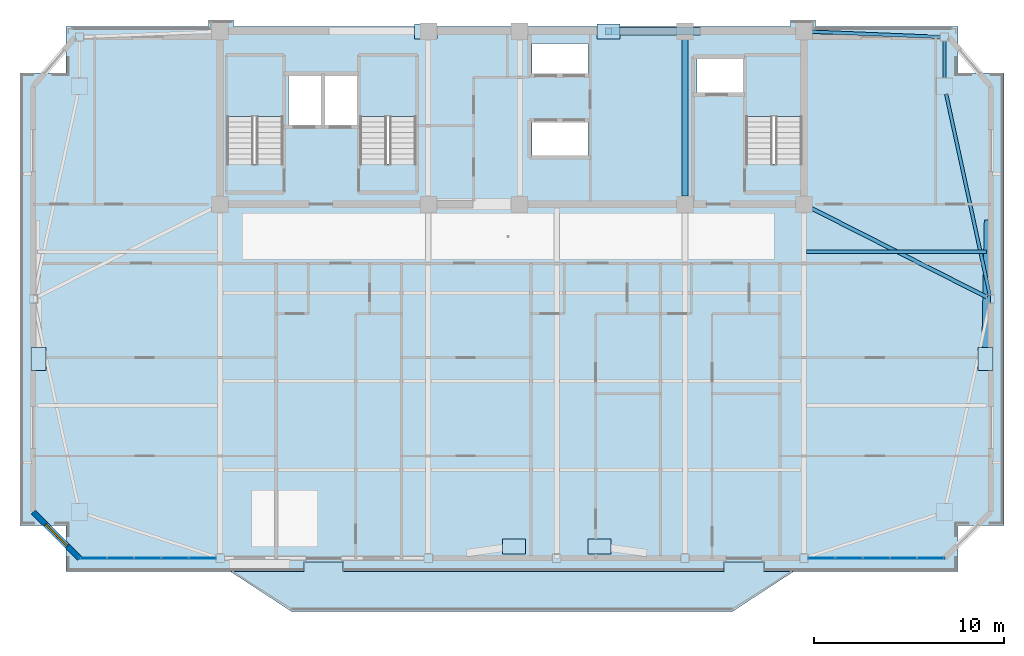
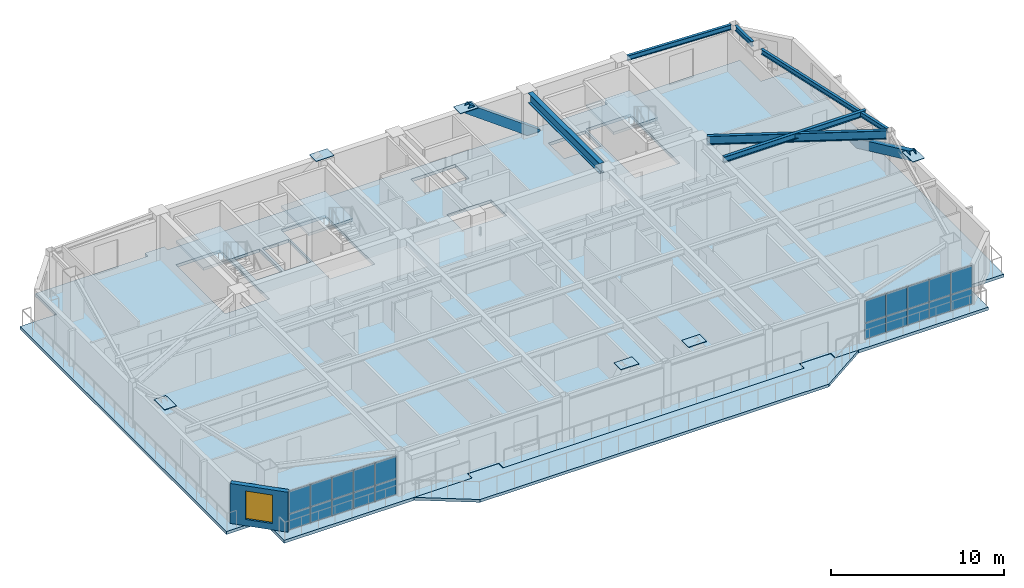
# One storey, part 6 of 15: 26 plates, 6 beams, 5 slabs, 2 members, 1 wall, 1 window, 1 opening, 5 elements without a shape of their own.
"""IFC4 building model written with IfcOpenShell, lengths in metres."""

from ifc_helpers import new_model, si_unit, direction, frame, frame_2d, origin, origin_2d, place, context, subcontext, project, spatial, polyline, rectangle, hollow_rectangle, i_section, outline, extrude, source, transform, mapped, material, layer, layer_set, material_profile, profile_set, type_object, element, fill, aggregate, save


model = new_model("IFC4")

# Units and contexts
model_context = context("Model", 3, precision=1e-05, world=origin(), true_north=direction((0.0, 1.0)))
body_context = subcontext(model_context, "Body", "Model", "MODEL_VIEW")
ifc_project = project(units=[si_unit("LENGTHUNIT", "METRE"), si_unit("AREAUNIT", "SQUARE_METRE"), si_unit("VOLUMEUNIT", "CUBIC_METRE"), si_unit("PLANEANGLEUNIT", "RADIAN"), si_unit("MASSUNIT", "GRAM", prefix="KILO")], contexts=[model_context])

# Site, building, storey
site_placement = place(None, origin())
site = spatial("IfcSite", under=ifc_project, at=site_placement, CompositionType="ELEMENT")
building_placement = place(site_placement, origin())
building = spatial("IfcBuilding", under=site, at=building_placement, Name="Giltprow Tower", CompositionType="ELEMENT")
storey_placement = place(building_placement, frame((0.0, 0.0, 297.199951171875)))
storey = spatial("IfcBuildingStorey", under=building, at=storey_placement, Name="L76", CompositionType="ELEMENT", Elevation=297.199951171875)

# Beams
ifc_material_1 = material(Name="Structural steel Q355B", Category="steel")
ifc_material_profile_1 = material_profile(ifc_material_1, i_section(OverallWidth=0.300048828125, OverallDepth=0.699951171875, WebThickness=0.012939453125, FlangeThickness=0.02392578125, at=origin_2d()), Name="HN 700x300x13x24")
ifc_profile_set_1 = profile_set([ifc_material_profile_1], Name="Structural steel Q355B")
beam_type_1 = type_object("IfcBeamType", Name="BM-GIRD-HN700", PredefinedType="BEAM", material=ifc_profile_set_1)
shared_shape_1 = source(origin(), body_context, "Body", "SweptSolid", [
    extrude(i_section(OverallWidth=0.300048828125, OverallDepth=0.699951171875, WebThickness=0.012939453125, FlangeThickness=0.02392578125, at=origin_2d()), origin(), (0.0, 0.0, 1.0), 8.22998046875),
])
beam_1_placement = place(storey_placement, frame((44.300048828125, 37.885009765625, 2.8349609375), z_axis=(0.0, 1.0, 0.0), x_axis=(-1.0, 0.0, 0.0)))
element("IfcBeam", 1, at=beam_1_placement, inside=storey, type_object=beam_type_1, Name="L76 Core Tie Girder M3", PredefinedType="BEAM", context=body_context, shape_type="MappedRepresentation", body=[
    mapped(shared_shape_1, transform((0.0, 0.0, 0.0), x_axis=(1.0, 0.0, 0.0), y_axis=(0.0, 1.0, 0.0), z_axis=(0.0, 0.0, 1.0), scale=1.0)),
])
ifc_material_profile_2 = material_profile(ifc_material_1, i_section(OverallWidth=0.175048828125, OverallDepth=0.35009765625, WebThickness=0.007080078125, FlangeThickness=0.010986328125, at=origin_2d()), Name="HN 350x175x7x11")
ifc_profile_set_2 = profile_set([ifc_material_profile_2], Name="Structural steel Q355B")
beam_type_2 = type_object("IfcBeamType", Name="BM-SPAN-HN350", PredefinedType="SPANDREL", material=ifc_profile_set_2)
shared_shape_2 = source(origin(), body_context, "Body", "SweptSolid", [
    extrude(i_section(OverallWidth=0.175048828125, OverallDepth=0.35009765625, WebThickness=0.007080078125, FlangeThickness=0.010986328125, at=origin_2d()), origin(), (0.0, 0.0, 1.0), 10.81396484375),
])
beam_2_placement = place(storey_placement, frame((60.3310546875, 32.676025390625, 3.010009765625), z_axis=(-0.212127827706, 0.977241927423, 0.0), x_axis=(-0.977241927423, -0.212127827706, 0.0)))
element("IfcBeam", 2, at=beam_2_placement, inside=storey, type_object=beam_type_2, Name="L76 Perimeter Spandrel Beam E_MID-MC_NE", PredefinedType="SPANDREL", context=body_context, shape_type="MappedRepresentation", body=[
    mapped(shared_shape_2, transform((0.0, 0.0, 0.0), x_axis=(1.0, 0.0, 0.0), y_axis=(0.0, 1.0, 0.0), z_axis=(0.0, 0.0, 1.0), scale=1.0)),
])
shared_shape_3 = source(origin(), body_context, "Body", "SweptSolid", [
    extrude(i_section(OverallWidth=0.175048828125, OverallDepth=0.35009765625, WebThickness=0.007080078125, FlangeThickness=0.010986328125, at=origin_2d()), origin(), (0.0, 0.0, 1.0), 1.93603515625),
])
beam_3_placement = place(storey_placement, frame((57.945068359375, 44.10400390625, 3.010009765625), z_axis=(0.0, 1.0, 0.0), x_axis=(-1.0, 0.0, 0.0)))
element("IfcBeam", 3, at=beam_3_placement, inside=storey, type_object=beam_type_2, Name="L76 Perimeter Spandrel Beam MC_NE-N_E", PredefinedType="SPANDREL", context=body_context, shape_type="MappedRepresentation", body=[
    mapped(shared_shape_3, transform((0.0, 0.0, 0.0), x_axis=(1.0, 0.0, 0.0), y_axis=(0.0, 1.0, 0.0), z_axis=(0.0, 0.0, 1.0), scale=1.0)),
])
shared_shape_4 = source(origin(), body_context, "Body", "SweptSolid", [
    extrude(i_section(OverallWidth=0.175048828125, OverallDepth=0.35009765625, WebThickness=0.007080078125, FlangeThickness=0.010986328125, at=origin_2d()), origin(), (0.0, 0.0, 1.0), 6.755615234375),
])
beam_4_placement = place(storey_placement, frame((50.985107421875, 46.531982421875, 3.010009765625), z_axis=(0.99918342897, -0.040403901678, 0.0), x_axis=(0.040403901678, 0.99918342897, 0.0)))
element("IfcBeam", 4, at=beam_4_placement, inside=storey, type_object=beam_type_2, Name="L76 North Wing Spandrel E", PredefinedType="SPANDREL", context=body_context, shape_type="MappedRepresentation", body=[
    mapped(shared_shape_4, transform((0.0, 0.0, 0.0), x_axis=(1.0, 0.0, 0.0), y_axis=(0.0, 1.0, 0.0), z_axis=(0.0, 0.0, 1.0), scale=1.0)),
])
ifc_material_profile_3 = material_profile(ifc_material_1, i_section(OverallWidth=0.199951171875, OverallDepth=0.60009765625, WebThickness=0.010986328125, FlangeThickness=0.01708984375, at=origin_2d()), Name="HN 600x200x11x17")
ifc_profile_set_3 = profile_set([ifc_material_profile_3], Name="Structural steel Q355B")
beam_type_3 = type_object("IfcBeamType", Name="BM-GIRD-HN600", PredefinedType="BEAM", material=ifc_profile_set_3)
shared_shape_5 = source(origin(), body_context, "Body", "SweptSolid", [
    extrude(i_section(OverallWidth=0.199951171875, OverallDepth=0.60009765625, WebThickness=0.010986328125, FlangeThickness=0.01708984375, at=origin_2d()), origin(), (0.0, 0.0, 1.0), 10.37060546875),
])
beam_5_placement = place(storey_placement, frame((60.18896484375, 32.56591796875, 2.885009765625), z_axis=(-0.89204159727, 0.451953303716, 0.0), x_axis=(-0.451953303716, -0.89204159727, 0.0)))
element("IfcBeam", 5, at=beam_5_placement, inside=storey, type_object=beam_type_3, Name="L76 East Wing Primary Girder", PredefinedType="BEAM", context=body_context, shape_type="MappedRepresentation", body=[
    mapped(shared_shape_5, transform((0.0, 0.0, 0.0), x_axis=(1.0, 0.0, 0.0), y_axis=(0.0, 1.0, 0.0), z_axis=(0.0, 0.0, 1.0), scale=1.0)),
])
ifc_material_profile_4 = material_profile(ifc_material_1, i_section(OverallWidth=0.199951171875, OverallDepth=0.39990234375, WebThickness=0.008056640625, FlangeThickness=0.012939453125, at=origin_2d()), Name="HN 400x200x8x13")
ifc_profile_set_4 = profile_set([ifc_material_profile_4], Name="Structural steel Q355B")
beam_type_4 = type_object("IfcBeamType", Name="BM-JOIST-HN400", PredefinedType="JOIST", material=ifc_profile_set_4)
shared_shape_6 = source(origin(), body_context, "Body", "SweptSolid", [
    extrude(i_section(OverallWidth=0.199951171875, OverallDepth=0.39990234375, WebThickness=0.008056640625, FlangeThickness=0.012939453125, at=origin_2d()), origin(), (0.0, 0.0, 1.0), 9.4609375),
])
beam_6_placement = place(storey_placement, frame((50.695068359375, 34.9599609375, 2.985107421875), z_axis=(1.0, 0.0, 0.0), x_axis=(0.0, 1.0, 0.0)))
element("IfcBeam", 6, at=beam_6_placement, inside=storey, type_object=beam_type_4, Name="L76 East Wing Floor Joist 2", PredefinedType="JOIST", context=body_context, shape_type="MappedRepresentation", body=[
    mapped(shared_shape_6, transform((0.0, 0.0, 0.0), x_axis=(1.0, 0.0, 0.0), y_axis=(0.0, 1.0, 0.0), z_axis=(0.0, 0.0, 1.0), scale=1.0)),
])

# Members
ifc_material_2 = material(Name="Structural steel Q420GJC", Category="steel")
ifc_material_profile_5 = material_profile(ifc_material_2, hollow_rectangle(XDim=0.39990234375, YDim=0.60009765625, WallThickness=0.028076171875, at=origin_2d()), Name="RHS 600x400x28")
ifc_profile_set_5 = profile_set([ifc_material_profile_5], Name="Structural steel Q420GJC")
member_type = type_object("IfcMemberType", Name="MBR-MEGA-RHS600", PredefinedType="BRACE", material=ifc_profile_set_5)
shared_shape_7 = source(origin(), body_context, "Body", "SweptSolid", [
    extrude(hollow_rectangle(XDim=0.39990234375, YDim=0.60009765625, WallThickness=0.028076171875, at=origin_2d()), origin(), (0.0, 0.0, 1.0), 5.773193359375),
])
member_1_placement = place(storey_placement, frame((44.93310546875, 46.550048828125, -0.139892578125), z_axis=(-0.808205443046, 0.0, 0.588900638335), x_axis=(0.0, -1.0, 0.0)))
element("IfcMember", 7, at=member_1_placement, inside=storey, type_object=member_type, Name="L76 Chevron Mega-Brace N-R", PredefinedType="BRACE", context=body_context, shape_type="MappedRepresentation", body=[
    mapped(shared_shape_7, transform((0.0, 0.0, 0.0), x_axis=(1.0, 0.0, 0.0), y_axis=(0.0, 1.0, 0.0), z_axis=(0.0, 0.0, 1.0), scale=1.0)),
])
shared_shape_8 = source(origin(), body_context, "Body", "SweptSolid", [
    extrude(hollow_rectangle(XDim=0.39990234375, YDim=0.60009765625, WallThickness=0.028076171875, at=origin_2d()), origin(), (0.0, 0.0, 1.0), 7.936767578125),
])
member_2_placement = place(storey_placement, frame((60.237060546875, 36.498046875, 0.0), z_axis=(-0.017379937088, -0.903418358139, 0.428407758991), x_axis=(0.999815001566, -0.019234413017, 0.0)))
element("IfcMember", 8, at=member_2_placement, inside=storey, type_object=member_type, Name="L76 Chevron Mega-Brace E-D", PredefinedType="BRACE", context=body_context, shape_type="MappedRepresentation", body=[
    mapped(shared_shape_8, transform((0.0, 0.0, 0.0), x_axis=(1.0, 0.0, 0.0), y_axis=(0.0, 1.0, 0.0), z_axis=(0.0, 0.0, 1.0), scale=1.0)),
])

# Slabs
ifc_material_3 = material(Name="Concrete C40", Category="concrete")
ifc_layer_1 = layer(ifc_material_3, 0.199951171875, Name="Concrete C40")
ifc_layer_set_1 = layer_set([ifc_layer_1], Name="Concrete C40")
slab_type_1 = type_object("IfcSlabType", Name="SLB-BALC-BRONZE-200", PredefinedType="FLOOR", material=ifc_layer_set_1)
slab_1_placement = place(storey_placement, frame((0.0, 0.0, -0.199951171875)))
element("IfcSlab", 9, at=slab_1_placement, inside=storey, type_object=slab_type_1, Name="L76 Bronze Prow Waterfront Balcony Slab", PredefinedType="FLOOR", context=body_context, shape_type="SweptSolid", body=[
    extrude(outline(polyline([(50.0, 18.14111328125), (46.800048828125, 16.041015625), (23.60009765625, 16.041015625), (20.39990234375, 18.14111328125), (24.280029296875, 18.14111328125), (24.280029296875, 18.64111328125), (26.320068359375, 18.64111328125), (26.320068359375, 18.14111328125), (46.3798828125, 18.14111328125), (46.3798828125, 18.64111328125), (48.419921875, 18.64111328125), (48.419921875, 18.14111328125), (50.0, 18.14111328125)])), origin(), (0.0, 0.0, 1.0), 0.199951171875),
])
ifc_layer_2 = layer(ifc_material_3, 0.215087890625, Name="Concrete C40")
ifc_layer_set_2 = layer_set([ifc_layer_2], Name="Concrete C40")
slab_type_2 = type_object("IfcSlabType", Name="SLB-RES-215", PredefinedType="FLOOR", material=ifc_layer_set_2)
slab_2_placement = place(storey_placement, frame((0.0, 0.0, -0.21484375)))
element("IfcSlab", 10, at=slab_2_placement, inside=storey, type_object=slab_type_2, Name="L76 Structural Composite Floor Slab", PredefinedType="FLOOR", context=body_context, shape_type="SweptSolid", body=[
    extrude(outline(polyline([(61.075927734375, 44.3701171875), (61.075927734375, 20.572021484375), (58.64501953125, 20.572021484375), (58.64501953125, 18.14111328125), (48.449951171875, 18.14111328125), (48.449951171875, 18.660888671875), (46.35009765625, 18.660888671875), (46.35009765625, 18.14111328125), (26.35009765625, 18.14111328125), (26.35009765625, 18.660888671875), (24.25, 18.660888671875), (24.25, 18.14111328125), (11.7548828125, 18.14111328125), (11.7548828125, 20.572021484375), (9.323974609375, 20.572021484375), (9.323974609375, 44.3701171875), (11.7548828125, 44.3701171875), (11.7548828125, 46.800048828125), (19.25, 46.800048828125), (19.25, 47.14990234375), (20.550048828125, 47.14990234375), (20.550048828125, 46.800048828125), (49.85009765625, 46.800048828125), (49.85009765625, 47.14990234375), (51.14990234375, 47.14990234375), (51.14990234375, 46.800048828125), (58.64501953125, 46.800048828125), (58.64501953125, 44.3701171875), (61.075927734375, 44.3701171875)]), holes=[polyline([(39.18994140625, 41.800048828125), (36.239990234375, 41.800048828125), (36.239990234375, 40.0), (39.18994140625, 40.0), (39.18994140625, 41.800048828125)]), polyline([(23.159912109375, 39.570068359375), (23.159912109375, 45.25), (20.199951171875, 45.25), (20.199951171875, 39.570068359375), (23.159912109375, 39.570068359375)]), polyline([(30.159912109375, 39.570068359375), (30.159912109375, 45.25), (27.199951171875, 45.25), (27.199951171875, 39.570068359375), (30.159912109375, 39.570068359375)]), polyline([(50.4599609375, 45.25), (47.5, 45.25), (47.5, 39.570068359375), (50.4599609375, 39.570068359375), (50.4599609375, 45.25)]), polyline([(25.169921875, 44.199951171875), (23.449951171875, 44.199951171875), (23.449951171875, 41.60009765625), (25.169921875, 41.60009765625), (25.169921875, 44.199951171875)]), polyline([(27.10009765625, 44.199951171875), (25.35009765625, 44.199951171875), (25.35009765625, 41.60009765625), (27.10009765625, 41.60009765625), (27.10009765625, 44.199951171875)]), polyline([(47.3798828125, 43.300048828125), (47.3798828125, 45.10009765625), (44.919921875, 45.10009765625), (44.919921875, 43.300048828125), (47.3798828125, 43.300048828125)]), polyline([(39.18994140625, 44.300048828125), (39.18994140625, 45.919921875), (36.239990234375, 45.919921875), (36.239990234375, 44.300048828125), (39.18994140625, 44.300048828125)])]), origin(), (0.0, 0.0, 1.0), 0.21484375),
])

# Stair, slab
stair_type_1 = type_object("IfcStairType", Name="STR-ST-1", PredefinedType="HALF_TURN_STAIR", material=ifc_material_3)
stair_1_placement = place(storey_placement, origin())
stair_1 = element("IfcStair", 11, at=stair_1_placement, inside=storey, type_object=stair_type_1, Name="L76 Core Exit Stair ST-1", PredefinedType="HALF_TURN_STAIR")
ifc_layer_3 = layer(ifc_material_3, 0.179931640625, Name="Concrete C40")
ifc_layer_set_3 = layer_set([ifc_layer_3], Name="Concrete C40")
slab_type_3 = type_object("IfcSlabType", Name="SLD-ST-1", PredefinedType="LANDING", material=ifc_layer_set_3)
slab_3_placement = place(storey_placement, frame((0.0, 0.0, 1.52001953125)))
slab_3 = element("IfcSlab", 12, at=slab_3_placement, type_object=slab_type_3, Name="ST-1 landing 1", PredefinedType="LANDING", context=body_context, shape_type="SweptSolid", body=[
    extrude(outline(polyline([(23.159912109375, 42.070068359375), (23.159912109375, 45.25), (20.199951171875, 45.25), (20.199951171875, 42.070068359375), (23.159912109375, 42.070068359375)])), origin(), (0.0, 0.0, 1.0), 0.179931640625),
])
aggregate(stair_1, [slab_3])

stair_type_2 = type_object("IfcStairType", Name="STR-ST-2", PredefinedType="HALF_TURN_STAIR", material=ifc_material_3)
stair_2_placement = place(storey_placement, origin())
stair_2 = element("IfcStair", 13, at=stair_2_placement, inside=storey, type_object=stair_type_2, Name="L76 Core Exit Stair ST-2", PredefinedType="HALF_TURN_STAIR")
ifc_layer_4 = layer(ifc_material_3, 0.18798828125, Name="Concrete C40")
ifc_layer_set_4 = layer_set([ifc_layer_4], Name="Concrete C40")
slab_type_4 = type_object("IfcSlabType", Name="SLD-ST-2", PredefinedType="LANDING", material=ifc_layer_set_4)
slab_4_placement = place(storey_placement, frame((0.0, 0.0, 1.511962890625)))
slab_4 = element("IfcSlab", 14, at=slab_4_placement, type_object=slab_type_4, Name="ST-2 landing 1", PredefinedType="LANDING", context=body_context, shape_type="SweptSolid", body=[
    extrude(outline(polyline([(30.159912109375, 42.070068359375), (30.159912109375, 45.25), (27.199951171875, 45.25), (27.199951171875, 42.070068359375), (30.159912109375, 42.070068359375)])), origin(), (0.0, 0.0, 1.0), 0.18798828125),
])
aggregate(stair_2, [slab_4])

stair_type_3 = type_object("IfcStairType", Name="STR-ST-3", PredefinedType="HALF_TURN_STAIR", material=ifc_material_3)
stair_3_placement = place(storey_placement, origin())
stair_3 = element("IfcStair", 15, at=stair_3_placement, inside=storey, type_object=stair_type_3, Name="L76 Core Exit Stair ST-3", PredefinedType="HALF_TURN_STAIR")
ifc_layer_5 = layer(ifc_material_3, 0.196044921875, Name="Concrete C40")
ifc_layer_set_5 = layer_set([ifc_layer_5], Name="Concrete C40")
slab_type_5 = type_object("IfcSlabType", Name="SLD-ST-3", PredefinedType="LANDING", material=ifc_layer_set_5)
slab_5_placement = place(storey_placement, frame((0.0, 0.0, 1.504150390625)))
slab_5 = element("IfcSlab", 16, at=slab_5_placement, type_object=slab_type_5, Name="ST-3 landing 1", PredefinedType="LANDING", context=body_context, shape_type="SweptSolid", body=[
    extrude(outline(polyline([(50.4599609375, 42.070068359375), (50.4599609375, 45.25), (47.5, 45.25), (47.5, 42.070068359375), (50.4599609375, 42.070068359375)])), origin(), (0.0, 0.0, 1.0), 0.19580078125),
])
aggregate(stair_3, [slab_5])

# Plates
plate_type_1 = type_object("IfcPlateType", Name="PLT-CAP-SEAL", PredefinedType="USERDEFINED", material=ifc_material_2)
shared_shape_9 = source(origin(), body_context, "Body", "SweptSolid", [
    extrude(rectangle(XDim=1.199951171875, YDim=0.800048828125, at=origin_2d()), origin(), (0.0, 0.0, 1.0), 0.034912109375),
])
for number, where, z_axis, x_axis, name in (
    (17, (35.300048828125, 19.4619140625, 3.3828125), (0.0, 0.0, 1.0), (1.0, 0.0, 0.0), "Mega-Brace Node L76-S-LB"),
    (18, (39.800048828125, 19.4619140625, 3.3828125), (0.0, 0.0, 1.0), (1.0, 0.0, 0.0), "Mega-Brace Node L76-S-RB"),
    (19, (30.6669921875, 46.550048828125, 3.24267578125), (0.0, 0.0, 1.0), (1.0, 0.0, 0.0), "Mega-Brace Node L76-N-LB"),
    (20, (40.26708984375, 46.550048828125, 3.24267578125), (0.0, 0.0, 1.0), (1.0, 0.0, 0.0), "Mega-Brace Node L76-N-RB"),
    (21, (10.301025390625, 29.327880859375, 3.3828125), (0.0, 0.0, 1.0), (0.0, 1.0, 0.0), "Mega-Brace Node L76-W-DB"),
    (22, (60.09912109375, 29.327880859375, 3.3828125), (0.0, 0.0, 1.0), (0.0, 1.0, 0.0), "Mega-Brace Node L76-E-DB"),
):
    element("IfcPlate", number, at=place(storey_placement, frame(where, z_axis=z_axis, x_axis=x_axis)), inside=storey, type_object=plate_type_1, Name=name, ObjectType="SPLICE", PredefinedType="USERDEFINED", context=body_context, shape_type="MappedRepresentation", body=[
        mapped(shared_shape_9, transform((0.0, 0.0, 0.0), x_axis=(1.0, 0.0, 0.0), y_axis=(0.0, 1.0, 0.0), z_axis=(0.0, 0.0, 1.0), scale=1.0)),
    ])

# Curtain wall, plates
ifc_material_4 = material(Name="Anodized bronze", Category="metal")
ifc_layer_6 = layer(ifc_material_4, 0.179931640625, Name="Anodized bronze")
ifc_layer_set_6 = layer_set([ifc_layer_6], Name="Anodized bronze")
curtain_wall_type = type_object("IfcCurtainWallType", Name="CW-RES-SKY", PredefinedType="NOTDEFINED", material=ifc_layer_set_6)
curtain_wall_1_placement = place(storey_placement, origin())
curtain_wall_1 = element("IfcCurtainWall", 23, at=curtain_wall_1_placement, inside=storey, type_object=curtain_wall_type, Name="L76 South Recessed Curtain Wall 1", PredefinedType="NOTDEFINED")
ifc_material_5 = material(Name="Insulated glass", Category="glass")
plate_type_2 = type_object("IfcPlateType", Name="CW-PANEL-IGU-28", PredefinedType="CURTAIN_PANEL", material=ifc_material_5)
shared_shape_10 = source(origin(), body_context, "Body", "SweptSolid", [
    extrude(rectangle(XDim=1.404052734375, YDim=0.028076171875, at=origin_2d()), origin(), (0.0, 0.0, 1.0), 1.114013671875),
])
plate_1_placement = place(storey_placement, frame((13.172119140625, 18.841064453125, 0.05419921875), z_axis=(0.0, 0.0, 1.0), x_axis=(1.0, 0.0, 0.0)))
plate_1 = element("IfcPlate", 24, at=plate_1_placement, type_object=plate_type_2, Name="L76 South Recessed Curtain Wall 1 Glazing Panel 1-1", PredefinedType="CURTAIN_PANEL", context=body_context, shape_type="MappedRepresentation", body=[
    mapped(shared_shape_10, transform((0.0, 0.0, 0.0), x_axis=(1.0, 0.0, 0.0), y_axis=(0.0, 1.0, 0.0), z_axis=(0.0, 0.0, 1.0), scale=1.0)),
])
plate_2_placement = place(storey_placement, frame((14.60595703125, 18.841064453125, 0.05419921875), z_axis=(0.0, 0.0, 1.0), x_axis=(1.0, 0.0, 0.0)))
plate_2 = element("IfcPlate", 25, at=plate_2_placement, type_object=plate_type_2, Name="L76 South Recessed Curtain Wall 1 Glazing Panel 2-1", PredefinedType="CURTAIN_PANEL", context=body_context, shape_type="MappedRepresentation", body=[
    mapped(shared_shape_10, transform((0.0, 0.0, 0.0), x_axis=(1.0, 0.0, 0.0), y_axis=(0.0, 1.0, 0.0), z_axis=(0.0, 0.0, 1.0), scale=1.0)),
])
plate_3_placement = place(storey_placement, frame((16.0400390625, 18.841064453125, 0.05419921875), z_axis=(0.0, 0.0, 1.0), x_axis=(1.0, 0.0, 0.0)))
plate_3 = element("IfcPlate", 26, at=plate_3_placement, type_object=plate_type_2, Name="L76 South Recessed Curtain Wall 1 Glazing Panel 3-1", PredefinedType="CURTAIN_PANEL", context=body_context, shape_type="MappedRepresentation", body=[
    mapped(shared_shape_10, transform((0.0, 0.0, 0.0), x_axis=(1.0, 0.0, 0.0), y_axis=(0.0, 1.0, 0.0), z_axis=(0.0, 0.0, 1.0), scale=1.0)),
])
plate_4_placement = place(storey_placement, frame((17.47412109375, 18.841064453125, 0.05419921875), z_axis=(0.0, 0.0, 1.0), x_axis=(1.0, 0.0, 0.0)))
plate_4 = element("IfcPlate", 27, at=plate_4_placement, type_object=plate_type_2, Name="L76 South Recessed Curtain Wall 1 Glazing Panel 4-1", PredefinedType="CURTAIN_PANEL", context=body_context, shape_type="MappedRepresentation", body=[
    mapped(shared_shape_10, transform((0.0, 0.0, 0.0), x_axis=(1.0, 0.0, 0.0), y_axis=(0.0, 1.0, 0.0), z_axis=(0.0, 0.0, 1.0), scale=1.0)),
])
plate_5_placement = place(storey_placement, frame((18.907958984375, 18.841064453125, 0.05419921875), z_axis=(0.0, 0.0, 1.0), x_axis=(1.0, 0.0, 0.0)))
plate_5 = element("IfcPlate", 28, at=plate_5_placement, type_object=plate_type_2, Name="L76 South Recessed Curtain Wall 1 Glazing Panel 5-1", PredefinedType="CURTAIN_PANEL", context=body_context, shape_type="MappedRepresentation", body=[
    mapped(shared_shape_10, transform((0.0, 0.0, 0.0), x_axis=(1.0, 0.0, 0.0), y_axis=(0.0, 1.0, 0.0), z_axis=(0.0, 0.0, 1.0), scale=1.0)),
])

curtain_wall_2_placement = place(storey_placement, origin())
curtain_wall_2 = element("IfcCurtainWall", 29, at=curtain_wall_2_placement, inside=storey, type_object=curtain_wall_type, Name="L76 South Recessed Curtain Wall 6", PredefinedType="NOTDEFINED")
plate_6_placement = place(storey_placement, frame((51.491943359375, 18.841064453125, 0.05419921875), z_axis=(0.0, 0.0, 1.0), x_axis=(1.0, 0.0, 0.0)))
plate_6 = element("IfcPlate", 30, at=plate_6_placement, type_object=plate_type_2, Name="L76 South Recessed Curtain Wall 6 Glazing Panel 1-1", PredefinedType="CURTAIN_PANEL", context=body_context, shape_type="MappedRepresentation", body=[
    mapped(shared_shape_10, transform((0.0, 0.0, 0.0), x_axis=(1.0, 0.0, 0.0), y_axis=(0.0, 1.0, 0.0), z_axis=(0.0, 0.0, 1.0), scale=1.0)),
])
plate_7_placement = place(storey_placement, frame((52.926025390625, 18.841064453125, 0.05419921875), z_axis=(0.0, 0.0, 1.0), x_axis=(1.0, 0.0, 0.0)))
plate_7 = element("IfcPlate", 31, at=plate_7_placement, type_object=plate_type_2, Name="L76 South Recessed Curtain Wall 6 Glazing Panel 2-1", PredefinedType="CURTAIN_PANEL", context=body_context, shape_type="MappedRepresentation", body=[
    mapped(shared_shape_10, transform((0.0, 0.0, 0.0), x_axis=(1.0, 0.0, 0.0), y_axis=(0.0, 1.0, 0.0), z_axis=(0.0, 0.0, 1.0), scale=1.0)),
])
plate_8_placement = place(storey_placement, frame((54.360107421875, 18.841064453125, 0.05419921875), z_axis=(0.0, 0.0, 1.0), x_axis=(1.0, 0.0, 0.0)))
plate_8 = element("IfcPlate", 32, at=plate_8_placement, type_object=plate_type_2, Name="L76 South Recessed Curtain Wall 6 Glazing Panel 3-1", PredefinedType="CURTAIN_PANEL", context=body_context, shape_type="MappedRepresentation", body=[
    mapped(shared_shape_10, transform((0.0, 0.0, 0.0), x_axis=(1.0, 0.0, 0.0), y_axis=(0.0, 1.0, 0.0), z_axis=(0.0, 0.0, 1.0), scale=1.0)),
])
plate_9_placement = place(storey_placement, frame((55.7939453125, 18.841064453125, 0.05419921875), z_axis=(0.0, 0.0, 1.0), x_axis=(1.0, 0.0, 0.0)))
plate_9 = element("IfcPlate", 33, at=plate_9_placement, type_object=plate_type_2, Name="L76 South Recessed Curtain Wall 6 Glazing Panel 4-1", PredefinedType="CURTAIN_PANEL", context=body_context, shape_type="MappedRepresentation", body=[
    mapped(shared_shape_10, transform((0.0, 0.0, 0.0), x_axis=(1.0, 0.0, 0.0), y_axis=(0.0, 1.0, 0.0), z_axis=(0.0, 0.0, 1.0), scale=1.0)),
])
plate_10_placement = place(storey_placement, frame((57.22802734375, 18.841064453125, 0.05419921875), z_axis=(0.0, 0.0, 1.0), x_axis=(1.0, 0.0, 0.0)))
plate_10 = element("IfcPlate", 34, at=plate_10_placement, type_object=plate_type_2, Name="L76 South Recessed Curtain Wall 6 Glazing Panel 5-1", PredefinedType="CURTAIN_PANEL", context=body_context, shape_type="MappedRepresentation", body=[
    mapped(shared_shape_10, transform((0.0, 0.0, 0.0), x_axis=(1.0, 0.0, 0.0), y_axis=(0.0, 1.0, 0.0), z_axis=(0.0, 0.0, 1.0), scale=1.0)),
])

# Plate
shared_shape_11 = source(origin(), body_context, "Body", "SweptSolid", [
    extrude(rectangle(XDim=1.404052734375, YDim=0.028076171875, at=origin_2d()), origin(), (0.0, 0.0, 1.0), 1.56494140625),
])
plate_11_placement = place(storey_placement, frame((13.172119140625, 18.841064453125, 1.195556640625), z_axis=(0.0, 0.0, 1.0), x_axis=(1.0, 0.0, 0.0)))
plate_11 = element("IfcPlate", 35, at=plate_11_placement, type_object=plate_type_2, Name="L76 South Recessed Curtain Wall 1 Glazing Panel 1-2", PredefinedType="CURTAIN_PANEL", context=body_context, shape_type="MappedRepresentation", body=[
    mapped(shared_shape_11, transform((0.0, 0.0, 0.0), x_axis=(1.0, 0.0, 0.0), y_axis=(0.0, 1.0, 0.0), z_axis=(0.0, 0.0, 1.0), scale=1.0)),
])

plate_12_placement = place(storey_placement, frame((14.60595703125, 18.841064453125, 1.195556640625), z_axis=(0.0, 0.0, 1.0), x_axis=(1.0, 0.0, 0.0)))
plate_12 = element("IfcPlate", 36, at=plate_12_placement, type_object=plate_type_2, Name="L76 South Recessed Curtain Wall 1 Glazing Panel 2-2", PredefinedType="CURTAIN_PANEL", context=body_context, shape_type="MappedRepresentation", body=[
    mapped(shared_shape_11, transform((0.0, 0.0, 0.0), x_axis=(1.0, 0.0, 0.0), y_axis=(0.0, 1.0, 0.0), z_axis=(0.0, 0.0, 1.0), scale=1.0)),
])

plate_13_placement = place(storey_placement, frame((16.0400390625, 18.841064453125, 1.195556640625), z_axis=(0.0, 0.0, 1.0), x_axis=(1.0, 0.0, 0.0)))
plate_13 = element("IfcPlate", 37, at=plate_13_placement, type_object=plate_type_2, Name="L76 South Recessed Curtain Wall 1 Glazing Panel 3-2", PredefinedType="CURTAIN_PANEL", context=body_context, shape_type="MappedRepresentation", body=[
    mapped(shared_shape_11, transform((0.0, 0.0, 0.0), x_axis=(1.0, 0.0, 0.0), y_axis=(0.0, 1.0, 0.0), z_axis=(0.0, 0.0, 1.0), scale=1.0)),
])

plate_14_placement = place(storey_placement, frame((17.47412109375, 18.841064453125, 1.195556640625), z_axis=(0.0, 0.0, 1.0), x_axis=(1.0, 0.0, 0.0)))
plate_14 = element("IfcPlate", 38, at=plate_14_placement, type_object=plate_type_2, Name="L76 South Recessed Curtain Wall 1 Glazing Panel 4-2", PredefinedType="CURTAIN_PANEL", context=body_context, shape_type="MappedRepresentation", body=[
    mapped(shared_shape_11, transform((0.0, 0.0, 0.0), x_axis=(1.0, 0.0, 0.0), y_axis=(0.0, 1.0, 0.0), z_axis=(0.0, 0.0, 1.0), scale=1.0)),
])

plate_15_placement = place(storey_placement, frame((18.907958984375, 18.841064453125, 1.195556640625), z_axis=(0.0, 0.0, 1.0), x_axis=(1.0, 0.0, 0.0)))
plate_15 = element("IfcPlate", 39, at=plate_15_placement, type_object=plate_type_2, Name="L76 South Recessed Curtain Wall 1 Glazing Panel 5-2", PredefinedType="CURTAIN_PANEL", context=body_context, shape_type="MappedRepresentation", body=[
    mapped(shared_shape_11, transform((0.0, 0.0, 0.0), x_axis=(1.0, 0.0, 0.0), y_axis=(0.0, 1.0, 0.0), z_axis=(0.0, 0.0, 1.0), scale=1.0)),
])

aggregate(curtain_wall_1, [plate_1, plate_11, plate_2, plate_12, plate_3, plate_13, plate_4, plate_14, plate_5, plate_15])

plate_16_placement = place(storey_placement, frame((51.491943359375, 18.841064453125, 1.195556640625), z_axis=(0.0, 0.0, 1.0), x_axis=(1.0, 0.0, 0.0)))
plate_16 = element("IfcPlate", 40, at=plate_16_placement, type_object=plate_type_2, Name="L76 South Recessed Curtain Wall 6 Glazing Panel 1-2", PredefinedType="CURTAIN_PANEL", context=body_context, shape_type="MappedRepresentation", body=[
    mapped(shared_shape_11, transform((0.0, 0.0, 0.0), x_axis=(1.0, 0.0, 0.0), y_axis=(0.0, 1.0, 0.0), z_axis=(0.0, 0.0, 1.0), scale=1.0)),
])

plate_17_placement = place(storey_placement, frame((52.926025390625, 18.841064453125, 1.195556640625), z_axis=(0.0, 0.0, 1.0), x_axis=(1.0, 0.0, 0.0)))
plate_17 = element("IfcPlate", 41, at=plate_17_placement, type_object=plate_type_2, Name="L76 South Recessed Curtain Wall 6 Glazing Panel 2-2", PredefinedType="CURTAIN_PANEL", context=body_context, shape_type="MappedRepresentation", body=[
    mapped(shared_shape_11, transform((0.0, 0.0, 0.0), x_axis=(1.0, 0.0, 0.0), y_axis=(0.0, 1.0, 0.0), z_axis=(0.0, 0.0, 1.0), scale=1.0)),
])

plate_18_placement = place(storey_placement, frame((54.360107421875, 18.841064453125, 1.195556640625), z_axis=(0.0, 0.0, 1.0), x_axis=(1.0, 0.0, 0.0)))
plate_18 = element("IfcPlate", 42, at=plate_18_placement, type_object=plate_type_2, Name="L76 South Recessed Curtain Wall 6 Glazing Panel 3-2", PredefinedType="CURTAIN_PANEL", context=body_context, shape_type="MappedRepresentation", body=[
    mapped(shared_shape_11, transform((0.0, 0.0, 0.0), x_axis=(1.0, 0.0, 0.0), y_axis=(0.0, 1.0, 0.0), z_axis=(0.0, 0.0, 1.0), scale=1.0)),
])

plate_19_placement = place(storey_placement, frame((55.7939453125, 18.841064453125, 1.195556640625), z_axis=(0.0, 0.0, 1.0), x_axis=(1.0, 0.0, 0.0)))
plate_19 = element("IfcPlate", 43, at=plate_19_placement, type_object=plate_type_2, Name="L76 South Recessed Curtain Wall 6 Glazing Panel 4-2", PredefinedType="CURTAIN_PANEL", context=body_context, shape_type="MappedRepresentation", body=[
    mapped(shared_shape_11, transform((0.0, 0.0, 0.0), x_axis=(1.0, 0.0, 0.0), y_axis=(0.0, 1.0, 0.0), z_axis=(0.0, 0.0, 1.0), scale=1.0)),
])

plate_20_placement = place(storey_placement, frame((57.22802734375, 18.841064453125, 1.195556640625), z_axis=(0.0, 0.0, 1.0), x_axis=(1.0, 0.0, 0.0)))
plate_20 = element("IfcPlate", 44, at=plate_20_placement, type_object=plate_type_2, Name="L76 South Recessed Curtain Wall 6 Glazing Panel 5-2", PredefinedType="CURTAIN_PANEL", context=body_context, shape_type="MappedRepresentation", body=[
    mapped(shared_shape_11, transform((0.0, 0.0, 0.0), x_axis=(1.0, 0.0, 0.0), y_axis=(0.0, 1.0, 0.0), z_axis=(0.0, 0.0, 1.0), scale=1.0)),
])

aggregate(curtain_wall_2, [plate_6, plate_16, plate_7, plate_17, plate_8, plate_18, plate_9, plate_19, plate_10, plate_20])

# Wall, opening, window
ifc_material_6 = material(Name="Precast concrete C40", Category="concrete")
ifc_layer_7 = layer(ifc_material_6, 0.300048828125, Name="Precast concrete C40")
ifc_layer_set_7 = layer_set([ifc_layer_7], Name="Precast concrete C40")
wall_type = type_object("IfcWallType", Name="EW-NOTCH-CHAMFER-300", PredefinedType="SOLIDWALL", material=ifc_layer_set_7)
wall_placement = place(storey_placement, frame((10.02392578125, 21.27197265625, 0.0), z_axis=(0.0, 0.0, 1.0), x_axis=(0.707142286536, -0.707071274055, 0.0)))
wall = element("IfcWall", 45, at=wall_placement, inside=storey, type_object=wall_type, Name="L76 Corner Notch Wall SW", PredefinedType="SOLIDWALL", context=body_context, shape_type="SweptSolid", body=[
    extrude(rectangle(XDim=3.43798828125, YDim=0.300048828125, at=frame_2d((1.718994140625, 0.0))), origin(), (0.0, 0.0, 1.0), 2.81494140625),
])
opening_placement = place(wall_placement, frame((0.9189453125, 0.0, 0.449951171875)))
opening = element("IfcOpeningElement", 46, at=opening_placement, cuts=wall, Name="Opening WN17", PredefinedType="OPENING", context=body_context, shape_type="SweptSolid", body=[
    extrude(rectangle(XDim=1.60009765625, YDim=2.0, at=frame_2d((0.800048828125, 1.0))), frame((0.0, 0.159912109375, 0.0), z_axis=(0.0, -1.0, 0.0), x_axis=(1.0, 0.0, 0.0)), (0.0, 0.0, 1.0), 0.320068359375),
])
window_type = type_object("IfcWindowType", Name="WN-COR-1600x2000", PartitioningType="SINGLE_PANEL", PredefinedType="WINDOW", material=ifc_material_5)
shared_shape_12 = source(origin(), body_context, "Body", "SweptSolid", [
    extrude(rectangle(XDim=1.60009765625, YDim=2.0, at=frame_2d((0.800048828125, 1.0))), frame((0.0, 0.030029296875, 0.0), z_axis=(0.0, -1.0, 0.0), x_axis=(1.0, 0.0, 0.0)), (0.0, 0.0, 1.0), 0.06005859375),
])
window_placement = place(opening_placement, origin())
window = element("IfcWindow", 47, at=window_placement, inside=storey, type_object=window_type, Name="L76 Corner Notch Window SW", OverallHeight=2.0, OverallWidth=1.60009765625, PartitioningType="SINGLE_PANEL", PredefinedType="WINDOW", context=body_context, shape_type="MappedRepresentation", body=[
    mapped(shared_shape_12, transform((0.0, 0.0, 0.0), x_axis=(1.0, 0.0, 0.0), y_axis=(0.0, 1.0, 0.0), z_axis=(0.0, 0.0, 1.0), scale=1.0)),
])
fill(opening, window)

save(model, "model.ifc")
